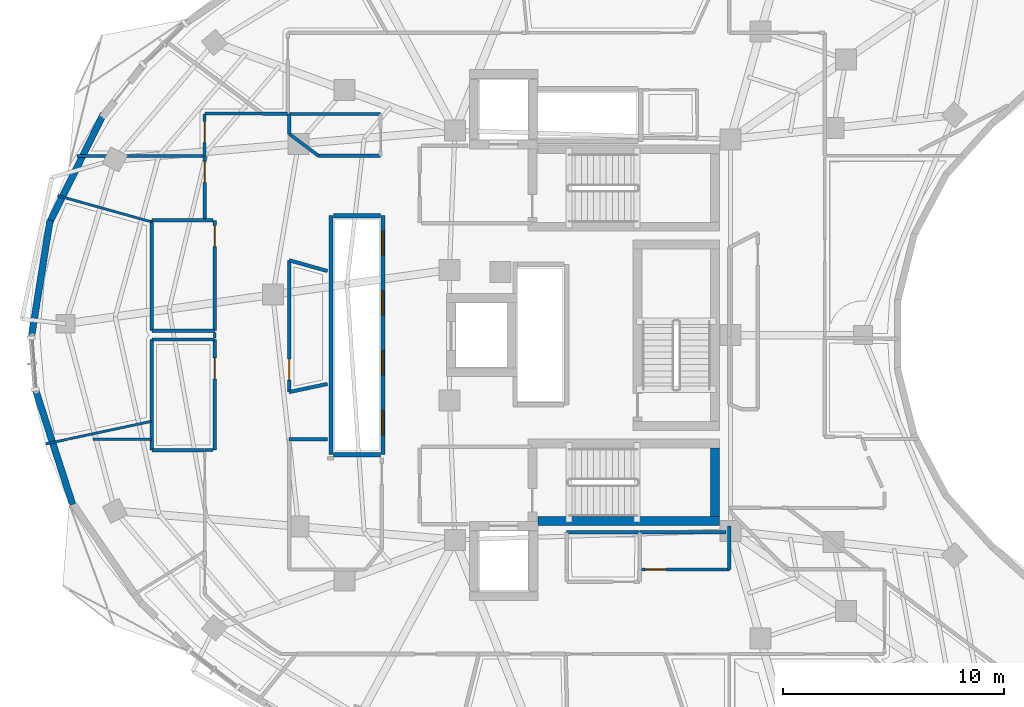
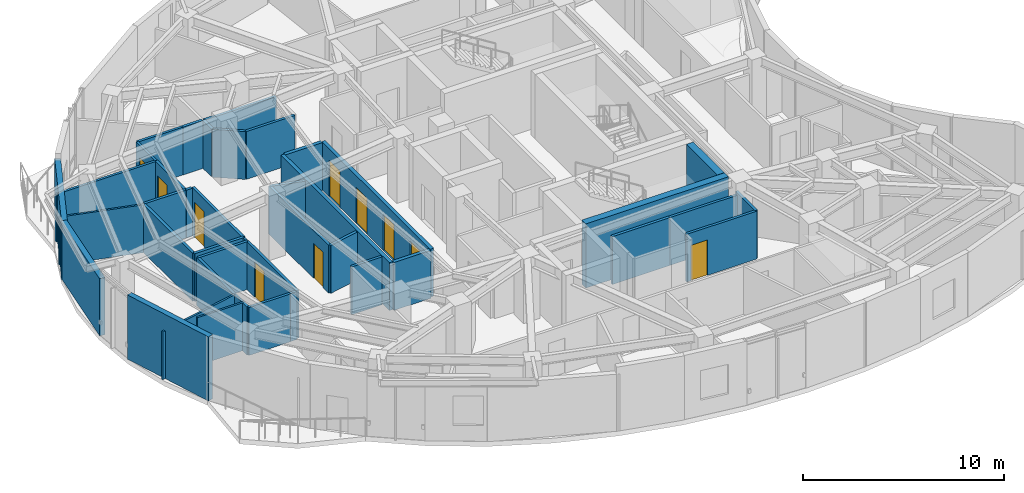
# One storey, part 8 of 14: 41 walls, 10 doors, 10 openings.
"""IFC4 building model written with IfcOpenShell, lengths in metres."""

from ifc_helpers import new_model, si_unit, direction, frame, frame_2d, origin, place, context, subcontext, project, spatial, rectangle, extrude, material, layer, layer_set, type_object, element, fill, save


model = new_model("IFC4")

# Units and contexts
model_context = context("Model", 3, precision=1e-05, world=origin(), true_north=direction((0.0, 1.0)))
body_context = subcontext(model_context, "Body", "Model", "MODEL_VIEW")
ifc_project = project(units=[si_unit("LENGTHUNIT", "METRE"), si_unit("AREAUNIT", "SQUARE_METRE"), si_unit("VOLUMEUNIT", "CUBIC_METRE"), si_unit("PLANEANGLEUNIT", "RADIAN"), si_unit("MASSUNIT", "GRAM", prefix="KILO")], contexts=[model_context])

# Site, building, storey
site_placement = place(None, origin())
site = spatial("IfcSite", under=ifc_project, at=site_placement, CompositionType="ELEMENT")
building_placement = place(site_placement, origin())
building = spatial("IfcBuilding", under=site, at=building_placement, Name="Korentha Bioscience Tower", CompositionType="ELEMENT")
storey_placement = place(building_placement, frame((0.0, 0.0, 252.0)))
storey = spatial("IfcBuildingStorey", under=building, at=storey_placement, Name="L58", CompositionType="ELEMENT", Elevation=252.0)

# Wall, opening, door
ifc_material_1 = material(Name="Double-Stud Acoustic Gypsum", Category="gypsum")
ifc_layer_1 = layer(ifc_material_1, 0.14990234375, Name="Double-Stud Acoustic Gypsum")
ifc_layer_set_1 = layer_set([ifc_layer_1], Name="Double-Stud Acoustic Gypsum (IW-L150)")
wall_type_1 = type_object("IfcWallType", Name="Acoustic Laboratory Partition Wall 150", PredefinedType="PARTITIONING", material=ifc_layer_set_1)
wall_1_placement = place(storey_placement, frame((14.239990234375, 26.800048828125, 0.0), z_axis=(0.0, 0.0, 1.0), x_axis=(0.0, -1.0, 0.0)))
wall_1 = element("IfcWall", 1, at=wall_1_placement, inside=storey, type_object=wall_type_1, Name="L58 Reclaimed Bank-1 Cold Freezer Alcove Entrance Wall", PredefinedType="PARTITIONING", context=body_context, shape_type="SweptSolid", body=[
    extrude(rectangle(XDim=4.989990234375, YDim=0.14990234375, at=frame_2d((2.4951171875, 0.0))), origin(), (0.0, 0.0, 1.0), 2.909912109375),
])
opening_1_placement = place(wall_1_placement, frame((0.830078125, 0.0, 0.0)))
opening_1 = element("IfcOpeningElement", 2, at=opening_1_placement, cuts=wall_1, Name="Opening ID-10L", PredefinedType="OPENING", context=body_context, shape_type="SweptSolid", body=[
    extrude(rectangle(XDim=0.949951171875, YDim=2.14990234375, at=frame_2d((0.47509765625, 1.074951171875))), frame((0.0, 0.08984375, 0.0), z_axis=(0.0, -1.0, 0.0), x_axis=(1.0, 0.0, 0.0)), (0.0, 0.0, 1.0), 0.1796875),
])
ifc_material_2 = material(Name="Phenolic Laminate Timber Core", Category="wood")
door_type_1 = type_object("IfcDoorType", Name="Laboratory Single Leaf Door 950x2150 Left", OperationType="SINGLE_SWING_LEFT", PredefinedType="DOOR", material=ifc_material_2)
door_1_placement = place(opening_1_placement, origin())
door_1 = element("IfcDoor", 3, at=door_1_placement, inside=storey, type_object=door_type_1, Name="L58 Reclaimed Bank-1 Cold Freezer Alcove Door", OperationType="SINGLE_SWING_LEFT", OverallHeight=2.14990234375, OverallWidth=0.949951171875, PredefinedType="DOOR", context=body_context, shape_type="SweptSolid", body=[
    extrude(rectangle(XDim=0.949951171875, YDim=2.14990234375, at=frame_2d((0.47509765625, 1.074951171875))), frame((0.0, 0.02490234375, 0.0), z_axis=(0.0, -1.0, 0.0), x_axis=(1.0, 0.0, 0.0)), (0.0, 0.0, 1.0), 0.050048828125),
])
fill(opening_1, door_1)

wall_2_placement = place(storey_placement, frame((37.498046875, 16.409912109375, 0.0), z_axis=(0.0, 0.0, 1.0), x_axis=(-1.0, 0.0, 0.0)))
wall_2 = element("IfcWall", 4, at=wall_2_placement, inside=storey, type_object=wall_type_1, Name="L58 Grant Review Seminar Room 08 Entrance Wall", PredefinedType="PARTITIONING", context=body_context, shape_type="SweptSolid", body=[
    extrude(rectangle(XDim=4.0380859375, YDim=0.14990234375, at=frame_2d((2.01904296875, 0.0))), origin(), (0.0, 0.0, 1.0), 2.909912109375),
])
opening_2_placement = place(wall_2_placement, frame((2.847900390625, 0.0, 0.0)))
opening_2 = element("IfcOpeningElement", 5, at=opening_2_placement, cuts=wall_2, Name="Opening ID-10R", PredefinedType="OPENING", context=body_context, shape_type="SweptSolid", body=[
    extrude(rectangle(XDim=0.949951171875, YDim=2.14990234375, at=frame_2d((0.47509765625, 1.074951171875))), frame((0.0, 0.08984375, 0.0), z_axis=(0.0, -1.0, 0.0), x_axis=(1.0, 0.0, 0.0)), (0.0, 0.0, 1.0), 0.1796875),
])
door_type_2 = type_object("IfcDoorType", Name="Laboratory Single Leaf Door 950x2150 Right", OperationType="SINGLE_SWING_RIGHT", PredefinedType="DOOR", material=ifc_material_2)
door_2_placement = place(opening_2_placement, origin())
door_2 = element("IfcDoor", 6, at=door_2_placement, inside=storey, type_object=door_type_2, Name="L58 Grant Review Seminar Room 08 Door", OperationType="SINGLE_SWING_RIGHT", OverallHeight=2.14990234375, OverallWidth=0.949951171875, PredefinedType="DOOR", context=body_context, shape_type="SweptSolid", body=[
    extrude(rectangle(XDim=0.949951171875, YDim=2.14990234375, at=frame_2d((0.47509765625, 1.074951171875))), frame((0.0, 0.02490234375, 0.0), z_axis=(0.0, -1.0, 0.0), x_axis=(1.0, 0.0, 0.0)), (0.0, 0.0, 1.0), 0.050048828125),
])
fill(opening_2, door_2)

wall_3_placement = place(storey_placement, frame((13.7900390625, 35.092041015625, 0.0), z_axis=(0.0, 0.0, 1.0), x_axis=(0.0, -1.0, 0.0)))
wall_3 = element("IfcWall", 7, at=wall_3_placement, inside=storey, type_object=wall_type_1, Name="L58 Lyophilization Freeze-Drying Room 22 Entrance Wall", PredefinedType="PARTITIONING", context=body_context, shape_type="SweptSolid", body=[
    extrude(rectangle(XDim=2.882080078125, YDim=0.14990234375, at=frame_2d((1.44091796875, 0.0))), origin(), (0.0, 0.0, 1.0), 2.909912109375),
])
opening_3_placement = place(wall_3_placement, frame((0.239990234375, 0.0, 0.0)))
opening_3 = element("IfcOpeningElement", 8, at=opening_3_placement, cuts=wall_3, Name="Opening ID-10R", PredefinedType="OPENING", context=body_context, shape_type="SweptSolid", body=[
    extrude(rectangle(XDim=0.949951171875, YDim=2.14990234375, at=frame_2d((0.47509765625, 1.074951171875))), frame((0.0, 0.08984375, 0.0), z_axis=(0.0, -1.0, 0.0), x_axis=(1.0, 0.0, 0.0)), (0.0, 0.0, 1.0), 0.1796875),
])
door_3_placement = place(opening_3_placement, origin())
door_3 = element("IfcDoor", 9, at=door_3_placement, inside=storey, type_object=door_type_2, Name="L58 Lyophilization Freeze-Drying Room 22 Door", OperationType="SINGLE_SWING_RIGHT", OverallHeight=2.14990234375, OverallWidth=0.949951171875, PredefinedType="DOOR", context=body_context, shape_type="SweptSolid", body=[
    extrude(rectangle(XDim=0.949951171875, YDim=2.14990234375, at=frame_2d((0.47509765625, 1.074951171875))), frame((0.0, 0.02490234375, 0.0), z_axis=(0.0, -1.0, 0.0), x_axis=(1.0, 0.0, 0.0)), (0.0, 0.0, 1.0), 0.050048828125),
])
fill(opening_3, door_3)

# Walls
wall_4_placement = place(storey_placement, frame((14.162109375, 21.81005859375, 0.0), z_axis=(0.0, 0.0, 1.0), x_axis=(-1.0, 0.0, 0.0)))
element("IfcWall", 10, at=wall_4_placement, inside=storey, type_object=wall_type_1, Name="L58 Interior Partition 036", PredefinedType="PARTITIONING", context=body_context, shape_type="SweptSolid", body=[
    extrude(rectangle(XDim=0.362060546875, YDim=0.14990234375, at=frame_2d((0.18115234375, 0.0))), origin(), (0.0, 0.0, 1.0), 2.909912109375),
])
wall_5_placement = place(storey_placement, frame((13.7900390625, 21.800048828125, 0.0), z_axis=(0.0, 0.0, 1.0), x_axis=(-1.0, 0.0, 0.0)))
element("IfcWall", 11, at=wall_5_placement, inside=storey, type_object=wall_type_1, Name="L58 Interior Partition 037", PredefinedType="PARTITIONING", context=body_context, shape_type="SweptSolid", body=[
    extrude(rectangle(XDim=2.39013671875, YDim=0.14990234375, at=frame_2d((1.195068359375, 0.0))), origin(), (0.0, 0.0, 1.0), 2.909912109375),
])
wall_6_placement = place(storey_placement, frame((11.39990234375, 21.800048828125, 0.0), z_axis=(0.0, 0.0, 1.0), x_axis=(0.0, 1.0, 0.0)))
element("IfcWall", 12, at=wall_6_placement, inside=storey, type_object=wall_type_1, Name="L58 Interior Partition 038", PredefinedType="PARTITIONING", context=body_context, shape_type="SweptSolid", body=[
    extrude(rectangle(XDim=5.0, YDim=0.14990234375, at=frame_2d((2.5, 0.0))), origin(), (0.0, 0.0, 1.0), 2.909912109375),
])
wall_7_placement = place(storey_placement, frame((11.39990234375, 26.800048828125, 0.0), z_axis=(0.0, 0.0, 1.0), x_axis=(1.0, 0.0, 0.0)))
element("IfcWall", 13, at=wall_7_placement, inside=storey, type_object=wall_type_1, Name="L58 Interior Partition 039", PredefinedType="PARTITIONING", context=body_context, shape_type="SweptSolid", body=[
    extrude(rectangle(XDim=2.840087890625, YDim=0.14990234375, at=frame_2d((1.419921875, 0.0))), origin(), (0.0, 0.0, 1.0), 2.909912109375),
])
wall_8_placement = place(storey_placement, frame((17.610107421875, 22.298095703125, 0.0), z_axis=(0.0, 0.0, 1.0), x_axis=(1.0, 0.0, 0.0)))
element("IfcWall", 14, at=wall_8_placement, inside=storey, type_object=wall_type_1, Name="L58 Interior Partition 054", PredefinedType="PARTITIONING", context=body_context, shape_type="SweptSolid", body=[
    extrude(rectangle(XDim=1.729736328125, YDim=0.14990234375, at=frame_2d((0.86474609375, 0.0))), origin(), (0.0, 0.0, 1.0), 2.909912109375),
])
wall_9_placement = place(storey_placement, frame((37.498046875, 18.3642578125, 0.0), z_axis=(0.0, 0.0, 1.0), x_axis=(0.0, -1.0, 0.0)))
element("IfcWall", 15, at=wall_9_placement, inside=storey, type_object=wall_type_1, Name="L58 Interior Partition 064", PredefinedType="PARTITIONING", context=body_context, shape_type="SweptSolid", body=[
    extrude(rectangle(XDim=1.954345703125, YDim=0.14990234375, at=frame_2d((0.97705078125, 0.0))), origin(), (0.0, 0.0, 1.0), 2.909912109375),
])
wall_10_placement = place(storey_placement, frame((33.4599609375, 18.090087890625, 0.0), z_axis=(0.0, 0.0, 1.0), x_axis=(1.0, 0.0, 0.0)))
element("IfcWall", 16, at=wall_10_placement, inside=storey, type_object=wall_type_1, Name="L58 Interior Partition 065", PredefinedType="PARTITIONING", context=body_context, shape_type="SweptSolid", body=[
    extrude(rectangle(XDim=3.89013671875, YDim=0.14990234375, at=frame_2d((1.945068359375, 0.0))), origin(), (0.0, 0.0, 1.0), 2.909912109375),
])
wall_11_placement = place(storey_placement, frame((18.9375, 35.10205078125, 0.0), z_axis=(0.0, 0.0, 1.0), x_axis=(-0.799629226512, 0.600494046689, 0.0)))
element("IfcWall", 17, at=wall_11_placement, inside=storey, type_object=wall_type_1, Name="L58 Interior Partition 097", PredefinedType="PARTITIONING", context=body_context, shape_type="SweptSolid", body=[
    extrude(rectangle(XDim=1.659912109375, YDim=0.14990234375, at=frame_2d((0.830078125, 0.0))), origin(), (0.0, 0.0, 1.0), 2.909912109375),
])
wall_12_placement = place(storey_placement, frame((17.610107421875, 36.098876953125, 0.0), z_axis=(0.0, 0.0, 1.0), x_axis=(0.0, 1.0, 0.0)))
element("IfcWall", 18, at=wall_12_placement, inside=storey, type_object=wall_type_1, Name="L58 Interior Partition 098", PredefinedType="PARTITIONING", context=body_context, shape_type="SweptSolid", body=[
    extrude(rectangle(XDim=0.89111328125, YDim=0.14990234375, at=frame_2d((0.445556640625, 0.0))), origin(), (0.0, 0.0, 1.0), 2.909912109375),
])
wall_13_placement = place(storey_placement, frame((17.610107421875, 36.989990234375, 0.0), z_axis=(0.0, 0.0, 1.0), x_axis=(1.0, 0.0, 0.0)))
element("IfcWall", 19, at=wall_13_placement, inside=storey, type_object=wall_type_1, Name="L58 Interior Partition 099", PredefinedType="PARTITIONING", context=body_context, shape_type="SweptSolid", body=[
    extrude(rectangle(XDim=4.1298828125, YDim=0.14990234375, at=frame_2d((2.06494140625, 0.0))), origin(), (0.0, 0.0, 1.0), 2.909912109375),
])
wall_14_placement = place(storey_placement, frame((21.739990234375, 35.10205078125, 0.0), z_axis=(0.0, 0.0, 1.0), x_axis=(-1.0, 0.0, 0.0)))
element("IfcWall", 20, at=wall_14_placement, inside=storey, type_object=wall_type_1, Name="L58 Interior Partition 100", PredefinedType="PARTITIONING", context=body_context, shape_type="SweptSolid", body=[
    extrude(rectangle(XDim=2.802490234375, YDim=0.14990234375, at=frame_2d((1.4013671875, 0.0))), origin(), (0.0, 0.0, 1.0), 2.909912109375),
])

# Wall, opening, door
ifc_material_3 = material(Name="Insulated Aluminium Honeycomb Panel", Category="aluminium")
ifc_layer_2 = layer(ifc_material_3, 0.139892578125, Name="Insulated Aluminium Honeycomb Panel")
ifc_layer_set_2 = layer_set([ifc_layer_2], Name="Insulated Aluminium Honeycomb Panel (IW-F60)")
wall_type_2 = type_object("IfcWallType", Name="Cleanroom Flush Metal Panel Partition 140", PredefinedType="PARTITIONING", material=ifc_layer_set_2)
wall_15_placement = place(storey_placement, frame((13.7900390625, 37.0, 0.0), z_axis=(0.0, 0.0, 1.0), x_axis=(0.0, -1.0, 0.0)))
wall_15 = element("IfcWall", 21, at=wall_15_placement, inside=storey, type_object=wall_type_2, Name="L58 Vaccine Formulation Cleanroom 21 Entrance Wall", PredefinedType="PARTITIONING", context=body_context, shape_type="SweptSolid", body=[
    extrude(rectangle(XDim=1.89794921875, YDim=0.139892578125, at=frame_2d((0.948974609375, 0.0))), origin(), (0.0, 0.0, 1.0), 2.909912109375),
])
opening_4_placement = place(wall_15_placement, frame((0.346923828125, 0.0, 0.0)))
opening_4 = element("IfcOpeningElement", 22, at=opening_4_placement, cuts=wall_15, Name="Opening ID-10L", PredefinedType="OPENING", context=body_context, shape_type="SweptSolid", body=[
    extrude(rectangle(XDim=0.949951171875, YDim=2.14990234375, at=frame_2d((0.47509765625, 1.074951171875))), frame((0.0, 0.0849609375, 0.0), z_axis=(0.0, -1.0, 0.0), x_axis=(1.0, 0.0, 0.0)), (0.0, 0.0, 1.0), 0.169677734375),
])
door_4_placement = place(opening_4_placement, origin())
door_4 = element("IfcDoor", 23, at=door_4_placement, inside=storey, type_object=door_type_1, Name="L58 Vaccine Formulation Cleanroom 21 Door", OperationType="SINGLE_SWING_LEFT", OverallHeight=2.14990234375, OverallWidth=0.949951171875, PredefinedType="DOOR", context=body_context, shape_type="SweptSolid", body=[
    extrude(rectangle(XDim=0.949951171875, YDim=2.14990234375, at=frame_2d((0.47509765625, 1.074951171875))), frame((0.0, 0.02490234375, 0.0), z_axis=(0.0, -1.0, 0.0), x_axis=(1.0, 0.0, 0.0)), (0.0, 0.0, 1.0), 0.050048828125),
])
fill(opening_4, door_4)

# Walls
wall_16_placement = place(storey_placement, frame((16.379638671875, 37.010009765625, 0.0), z_axis=(0.0, 0.0, 1.0), x_axis=(-1.0, 0.0, 0.0)))
element("IfcWall", 24, at=wall_16_placement, inside=storey, type_object=wall_type_2, Name="L58 Interior Partition 101", PredefinedType="PARTITIONING", context=body_context, shape_type="SweptSolid", body=[
    extrude(rectangle(XDim=2.57958984375, YDim=0.139892578125, at=frame_2d((1.289794921875, 0.0))), origin(), (0.0, 0.0, 1.0), 2.909912109375),
])
wall_17_placement = place(storey_placement, frame((13.7900390625, 35.10205078125, 0.0), z_axis=(0.0, 0.0, 1.0), x_axis=(-1.0, 0.0, 0.0)))
element("IfcWall", 25, at=wall_17_placement, inside=storey, type_object=wall_type_2, Name="L58 Interior Partition 102", PredefinedType="PARTITIONING", context=body_context, shape_type="SweptSolid", body=[
    extrude(rectangle(XDim=5.775146484375, YDim=0.139892578125, at=frame_2d((2.8876953125, 0.0))), origin(), (0.0, 0.0, 1.0), 2.909912109375),
])
ifc_material_4 = material(Name="Fire-Rated Framed Glass", Category="glass")
ifc_layer_3 = layer(ifc_material_4, 0.110107421875, Name="Fire-Rated Framed Glass")
ifc_layer_set_3 = layer_set([ifc_layer_3], Name="Fire-Rated Framed Glass (IW-G110)")
wall_type_3 = type_object("IfcWallType", Name="Demountable Glazed Office Partition 110", PredefinedType="MOVABLE", material=ifc_layer_set_3)
wall_18_placement = place(storey_placement, frame((7.148681640625, 33.30126953125, 0.0), z_axis=(0.0, 0.0, 1.0), x_axis=(0.963167586418, -0.268901841707, 0.0)))
element("IfcWall", 26, at=wall_18_placement, inside=storey, type_object=wall_type_3, Name="L58 Interior Partition 044", PredefinedType="MOVABLE", context=body_context, shape_type="SweptSolid", body=[
    extrude(rectangle(XDim=4.4033203125, YDim=0.110107421875, at=frame_2d((2.20166015625, 0.0))), origin(), (0.0, 0.0, 1.0), 2.909912109375),
])
wall_19_placement = place(storey_placement, frame((14.239990234375, 27.116943359375, 0.0), z_axis=(0.0, 0.0, 1.0), x_axis=(0.0, -1.0, 0.0)))
element("IfcWall", 27, at=wall_19_placement, inside=storey, type_object=wall_type_3, Name="L58 Interior Partition 045", PredefinedType="MOVABLE", context=body_context, shape_type="SweptSolid", body=[
    extrude(rectangle(XDim=0.239013671875, YDim=0.110107421875, at=frame_2d((0.11962890625, 0.0))), origin(), (0.0, 0.0, 1.0), 2.909912109375),
])
wall_20_placement = place(storey_placement, frame((11.389892578125, 23.104736328125, 0.0), z_axis=(0.0, 0.0, 1.0), x_axis=(-0.978148837506, -0.207905872179, 0.0)))
element("IfcWall", 28, at=wall_20_placement, inside=storey, type_object=wall_type_3, Name="L58 Interior Partition 046", PredefinedType="MOVABLE", context=body_context, shape_type="SweptSolid", body=[
    extrude(rectangle(XDim=3.84228515625, YDim=0.110107421875, at=frame_2d((1.921142578125, 0.0))), origin(), (0.0, 0.0, 1.0), 2.909912109375),
])
wall_21_placement = place(storey_placement, frame((8.748779296875, 22.298095703125, 0.0), z_axis=(0.0, 0.0, 1.0), x_axis=(1.0, 0.0, 0.0)))
element("IfcWall", 29, at=wall_21_placement, inside=storey, type_object=wall_type_3, Name="L58 Interior Partition 047", PredefinedType="MOVABLE", context=body_context, shape_type="SweptSolid", body=[
    extrude(rectangle(XDim=2.64111328125, YDim=0.110107421875, at=frame_2d((1.320556640625, 0.0))), origin(), (0.0, 0.0, 1.0), 2.909912109375),
])
wall_22_placement = place(storey_placement, frame((6.617431640625, 22.086181640625, 0.0), z_axis=(0.0, 0.0, 1.0), x_axis=(0.978112274726, 0.208077817245, 0.0)))
element("IfcWall", 30, at=wall_22_placement, inside=storey, type_object=wall_type_3, Name="L58 Interior Partition 049", PredefinedType="MOVABLE", context=body_context, shape_type="SweptSolid", body=[
    extrude(rectangle(XDim=0.999755859375, YDim=0.110107421875, at=frame_2d((0.5, 0.0))), origin(), (0.0, 0.0, 1.0), 2.909912109375),
])

# Wall, opening, door
ifc_material_5 = material(Name="Gypsum-Clad Steel Stud", Category="steel")
ifc_layer_4 = layer(ifc_material_5, 0.159912109375, Name="Gypsum-Clad Steel Stud")
ifc_layer_set_4 = layer_set([ifc_layer_4], Name="Gypsum-Clad Steel Stud (IW-C160)")
wall_type_4 = type_object("IfcWallType", Name="Fire-Rated Corridor Partition Wall 160", PredefinedType="PARTITIONING", material=ifc_layer_set_4)
wall_23_placement = place(storey_placement, frame((14.239990234375, 32.18994140625, 0.0), z_axis=(0.0, 0.0, 1.0), x_axis=(0.0, -1.0, 0.0)))
wall_23 = element("IfcWall", 31, at=wall_23_placement, inside=storey, type_object=wall_type_4, Name="L58 Reclaimed Bank-1 Glassware Store Entrance Wall", PredefinedType="PARTITIONING", context=body_context, shape_type="SweptSolid", body=[
    extrude(rectangle(XDim=4.989990234375, YDim=0.159912109375, at=frame_2d((2.4951171875, 0.0))), origin(), (0.0, 0.0, 1.0), 2.909912109375),
])
opening_5_placement = place(wall_23_placement, frame((0.239990234375, 0.0, 0.0)))
opening_5 = element("IfcOpeningElement", 32, at=opening_5_placement, cuts=wall_23, Name="Opening ID-10R", PredefinedType="OPENING", context=body_context, shape_type="SweptSolid", body=[
    extrude(rectangle(XDim=0.949951171875, YDim=2.14990234375, at=frame_2d((0.47509765625, 1.074951171875))), frame((0.0, 0.0947265625, 0.0), z_axis=(0.0, -1.0, 0.0), x_axis=(1.0, 0.0, 0.0)), (0.0, 0.0, 1.0), 0.189697265625),
])
door_5_placement = place(opening_5_placement, origin())
door_5 = element("IfcDoor", 33, at=door_5_placement, inside=storey, type_object=door_type_2, Name="L58 Reclaimed Bank-1 Glassware Store Door", OperationType="SINGLE_SWING_RIGHT", OverallHeight=2.14990234375, OverallWidth=0.949951171875, PredefinedType="DOOR", context=body_context, shape_type="SweptSolid", body=[
    extrude(rectangle(XDim=0.949951171875, YDim=2.14990234375, at=frame_2d((0.47509765625, 1.074951171875))), frame((0.0, 0.02490234375, 0.0), z_axis=(0.0, -1.0, 0.0), x_axis=(1.0, 0.0, 0.0)), (0.0, 0.0, 1.0), 0.050048828125),
])
fill(opening_5, door_5)

wall_24_placement = place(storey_placement, frame((17.610107421875, 24.427001953125, 0.0), z_axis=(0.0, 0.0, 1.0), x_axis=(0.0, 1.0, 0.0)))
wall_24 = element("IfcWall", 34, at=wall_24_placement, inside=storey, type_object=wall_type_4, Name="L58 Cold-Chain Stability Chamber 23 Entrance Wall", PredefinedType="PARTITIONING", context=body_context, shape_type="SweptSolid", body=[
    extrude(rectangle(XDim=5.95361328125, YDim=0.159912109375, at=frame_2d((2.976806640625, 0.0))), origin(), (0.0, 0.0, 1.0), 2.909912109375),
])
opening_6_placement = place(wall_24_placement, frame((0.544189453125, 0.0, 0.0)))
opening_6 = element("IfcOpeningElement", 35, at=opening_6_placement, cuts=wall_24, Name="Opening ID-10L", PredefinedType="OPENING", context=body_context, shape_type="SweptSolid", body=[
    extrude(rectangle(XDim=0.949951171875, YDim=2.14990234375, at=frame_2d((0.47509765625, 1.074951171875))), frame((0.0, 0.0947265625, 0.0), z_axis=(0.0, -1.0, 0.0), x_axis=(1.0, 0.0, 0.0)), (0.0, 0.0, 1.0), 0.189697265625),
])
door_6_placement = place(opening_6_placement, origin())
door_6 = element("IfcDoor", 36, at=door_6_placement, inside=storey, type_object=door_type_1, Name="L58 Cold-Chain Stability Chamber 23 Door", OperationType="SINGLE_SWING_LEFT", OverallHeight=2.14990234375, OverallWidth=0.949951171875, PredefinedType="DOOR", context=body_context, shape_type="SweptSolid", body=[
    extrude(rectangle(XDim=0.949951171875, YDim=2.14990234375, at=frame_2d((0.47509765625, 1.074951171875))), frame((0.0, 0.02490234375, 0.0), z_axis=(0.0, -1.0, 0.0), x_axis=(1.0, 0.0, 0.0)), (0.0, 0.0, 1.0), 0.050048828125),
])
fill(opening_6, door_6)

# Walls
wall_25_placement = place(storey_placement, frame((30.14990234375, 18.090087890625, 0.0), z_axis=(0.0, 0.0, 1.0), x_axis=(1.0, 0.0, 0.0)))
element("IfcWall", 37, at=wall_25_placement, inside=storey, type_object=wall_type_4, Name="L58 Interior Partition 031", PredefinedType="PARTITIONING", context=body_context, shape_type="SweptSolid", body=[
    extrude(rectangle(XDim=3.300048828125, YDim=0.159912109375, at=frame_2d((1.64990234375, 0.0))), origin(), (0.0, 0.0, 1.0), 2.909912109375),
])
wall_26_placement = place(storey_placement, frame((13.800048828125, 32.18994140625, 0.0), z_axis=(0.0, 0.0, 1.0), x_axis=(1.0, 0.0, 0.0)))
element("IfcWall", 38, at=wall_26_placement, inside=storey, type_object=wall_type_4, Name="L58 Interior Partition 040", PredefinedType="PARTITIONING", context=body_context, shape_type="SweptSolid", body=[
    extrude(rectangle(XDim=0.35693359375, YDim=0.159912109375, at=frame_2d((0.178466796875, 0.0))), origin(), (0.0, 0.0, 1.0), 2.909912109375),
])
wall_27_placement = place(storey_placement, frame((14.239990234375, 27.199951171875, 0.0), z_axis=(0.0, 0.0, 1.0), x_axis=(-1.0, 0.0, 0.0)))
element("IfcWall", 39, at=wall_27_placement, inside=storey, type_object=wall_type_4, Name="L58 Interior Partition 041", PredefinedType="PARTITIONING", context=body_context, shape_type="SweptSolid", body=[
    extrude(rectangle(XDim=2.840087890625, YDim=0.159912109375, at=frame_2d((1.419921875, 0.0))), origin(), (0.0, 0.0, 1.0), 2.909912109375),
])
wall_28_placement = place(storey_placement, frame((11.39990234375, 27.199951171875, 0.0), z_axis=(0.0, 0.0, 1.0), x_axis=(0.0, 1.0, 0.0)))
element("IfcWall", 40, at=wall_28_placement, inside=storey, type_object=wall_type_4, Name="L58 Interior Partition 042", PredefinedType="PARTITIONING", context=body_context, shape_type="SweptSolid", body=[
    extrude(rectangle(XDim=5.0, YDim=0.159912109375, at=frame_2d((2.5, 0.0))), origin(), (0.0, 0.0, 1.0), 2.909912109375),
])
wall_29_placement = place(storey_placement, frame((11.39990234375, 32.199951171875, 0.0), z_axis=(0.0, 0.0, 1.0), x_axis=(1.0, 0.0, 0.0)))
element("IfcWall", 41, at=wall_29_placement, inside=storey, type_object=wall_type_4, Name="L58 Interior Partition 043", PredefinedType="PARTITIONING", context=body_context, shape_type="SweptSolid", body=[
    extrude(rectangle(XDim=2.39013671875, YDim=0.159912109375, at=frame_2d((1.195068359375, 0.0))), origin(), (0.0, 0.0, 1.0), 2.909912109375),
])
wall_30_placement = place(storey_placement, frame((17.5400390625, 37.010009765625, 0.0), z_axis=(0.0, 0.0, 1.0), x_axis=(-1.0, 0.0, 0.0)))
element("IfcWall", 42, at=wall_30_placement, inside=storey, type_object=wall_type_4, Name="L58 Interior Partition 095", PredefinedType="PARTITIONING", context=body_context, shape_type="SweptSolid", body=[
    extrude(rectangle(XDim=1.1435546875, YDim=0.159912109375, at=frame_2d((0.57177734375, 0.0))), origin(), (0.0, 0.0, 1.0), 2.909912109375),
])
wall_31_placement = place(storey_placement, frame((19.340087890625, 24.794677734375, 0.0), z_axis=(0.0, 0.0, 1.0), x_axis=(-0.978152535578, -0.207888472845, 0.0)))
element("IfcWall", 43, at=wall_31_placement, inside=storey, type_object=wall_type_4, Name="L58 Interior Partition 103", PredefinedType="PARTITIONING", context=body_context, shape_type="SweptSolid", body=[
    extrude(rectangle(XDim=1.7685546875, YDim=0.159912109375, at=frame_2d((0.88427734375, 0.0))), origin(), (0.0, 0.0, 1.0), 2.909912109375),
])
wall_32_placement = place(storey_placement, frame((17.610107421875, 30.380615234375, 0.0), z_axis=(0.0, 0.0, 1.0), x_axis=(0.963143086718, -0.268989580668, 0.0)))
element("IfcWall", 44, at=wall_32_placement, inside=storey, type_object=wall_type_4, Name="L58 Interior Partition 104", PredefinedType="PARTITIONING", context=body_context, shape_type="SweptSolid", body=[
    extrude(rectangle(XDim=1.796142578125, YDim=0.159912109375, at=frame_2d((0.89794921875, 0.0))), origin(), (0.0, 0.0, 1.0), 2.909912109375),
])
ifc_material_6 = material(Name="Honed Limestone Precast Concrete C40", Category="masonry")
ifc_layer_5 = layer(ifc_material_6, 0.300048828125, Name="Honed Limestone Precast Concrete C40")
ifc_layer_set_5 = layer_set([ifc_layer_5], Name="Honed Limestone Precast Concrete C40 (EW-ST300)")
wall_type_5 = type_object("IfcWallType", Name="Honed Limestone Cavity Spandrel Wall 300", PredefinedType="STANDARD", material=ifc_layer_set_5)
wall_33_placement = place(storey_placement, frame((9.222412109375, 36.998779296875, 0.0), z_axis=(0.0, 0.0, 1.0), x_axis=(-0.445162072567, -0.89545001488, 0.0)))
element("IfcWall", 45, at=wall_33_placement, inside=storey, type_object=wall_type_5, Name="L58 Limestone Perimeter Closure Wall 15", PredefinedType="STANDARD", context=body_context, shape_type="SweptSolid", body=[
    extrude(rectangle(XDim=5.572509765625, YDim=0.300048828125, at=frame_2d((2.7861328125, 0.0))), origin(), (0.0, 0.0, 1.0), 3.469970703125),
])
wall_34_placement = place(storey_placement, frame((6.802734375, 32.19970703125, 0.0), z_axis=(0.0, 0.0, 1.0), x_axis=(-0.157240066957, -0.987560408959, 0.0)))
element("IfcWall", 46, at=wall_34_placement, inside=storey, type_object=wall_type_5, Name="L58 Limestone Perimeter Closure Wall 17", PredefinedType="STANDARD", context=body_context, shape_type="SweptSolid", body=[
    extrude(rectangle(XDim=5.367431640625, YDim=0.300048828125, at=frame_2d((2.68359375, 0.0))), origin(), (0.0, 0.0, 1.0), 3.469970703125),
])
wall_35_placement = place(storey_placement, frame((6.147216796875, 24.529052734375, 0.0), z_axis=(0.0, 0.0, 1.0), x_axis=(0.307501658213, -0.951547544895, 0.0)))
element("IfcWall", 47, at=wall_35_placement, inside=storey, type_object=wall_type_5, Name="L58 Limestone Perimeter Closure Wall 20", PredefinedType="STANDARD", context=body_context, shape_type="SweptSolid", body=[
    extrude(rectangle(XDim=5.447265625, YDim=0.300048828125, at=frame_2d((2.7236328125, 0.0))), origin(), (0.0, 0.0, 1.0), 3.89990234375),
])
ifc_material_7 = material(Name="Autoclaved Aerated Concrete Block C25", Category="concrete")
ifc_layer_6 = layer(ifc_material_7, 0.199951171875, Name="Autoclaved Aerated Concrete Block C25")
ifc_layer_set_6 = layer_set([ifc_layer_6], Name="Autoclaved Aerated Concrete Block C25 (IW-S200)")
wall_type_6 = type_object("IfcWallType", Name="Lift and Riser Shaft Enclosure Wall 200", PredefinedType="PARTITIONING", material=ifc_layer_set_6)
wall_36_placement = place(storey_placement, frame((19.5, 21.60009765625, 0.0), z_axis=(0.0, 0.0, 1.0), x_axis=(0.0, 1.0, 0.0)))
element("IfcWall", 48, at=wall_36_placement, inside=storey, type_object=wall_type_6, Name="L58 Lift Bank MID Shaft Wall -X", PredefinedType="PARTITIONING", context=body_context, shape_type="SweptSolid", body=[
    extrude(rectangle(XDim=10.7998046875, YDim=0.199951171875, at=frame_2d((5.39990234375, 0.0))), origin(), (0.0, 0.0, 1.0), 2.909912109375),
])

# Wall, openings, doors
wall_37_placement = place(storey_placement, frame((21.85009765625, 21.60009765625, 0.0), z_axis=(0.0, 0.0, 1.0), x_axis=(0.0, 1.0, 0.0)))
wall_37 = element("IfcWall", 49, at=wall_37_placement, inside=storey, type_object=wall_type_6, Name="L58 Lift Bank MID Shaft Wall +X", PredefinedType="PARTITIONING", context=body_context, shape_type="SweptSolid", body=[
    extrude(rectangle(XDim=10.7998046875, YDim=0.199951171875, at=frame_2d((5.39990234375, 0.0))), origin(), (0.0, 0.0, 1.0), 2.909912109375),
])
opening_7_placement = place(wall_37_placement, frame((0.89990234375, 0.0, 0.0)))
opening_7 = element("IfcOpeningElement", 50, at=opening_7_placement, cuts=wall_37, Name="Opening LD-11", PredefinedType="OPENING", context=body_context, shape_type="SweptSolid", body=[
    extrude(rectangle(XDim=1.10009765625, YDim=2.199951171875, at=frame_2d((0.550048828125, 1.10009765625))), frame((0.0, 0.11474609375, 0.0), z_axis=(0.0, -1.0, 0.0), x_axis=(1.0, 0.0, 0.0)), (0.0, 0.0, 1.0), 0.229736328125),
])
opening_8_placement = place(wall_37_placement, frame((3.60009765625, 0.0, 0.0)))
opening_8 = element("IfcOpeningElement", 51, at=opening_8_placement, cuts=wall_37, Name="Opening LD-11", PredefinedType="OPENING", context=body_context, shape_type="SweptSolid", body=[
    extrude(rectangle(XDim=1.10009765625, YDim=2.199951171875, at=frame_2d((0.550048828125, 1.10009765625))), frame((0.0, 0.11474609375, 0.0), z_axis=(0.0, -1.0, 0.0), x_axis=(1.0, 0.0, 0.0)), (0.0, 0.0, 1.0), 0.229736328125),
])
opening_9_placement = place(wall_37_placement, frame((6.300048828125, 0.0, 0.0)))
opening_9 = element("IfcOpeningElement", 52, at=opening_9_placement, cuts=wall_37, Name="Opening LD-11", PredefinedType="OPENING", context=body_context, shape_type="SweptSolid", body=[
    extrude(rectangle(XDim=1.10009765625, YDim=2.199951171875, at=frame_2d((0.550048828125, 1.10009765625))), frame((0.0, 0.11474609375, 0.0), z_axis=(0.0, -1.0, 0.0), x_axis=(1.0, 0.0, 0.0)), (0.0, 0.0, 1.0), 0.229736328125),
])
opening_10_placement = place(wall_37_placement, frame((9.0, 0.0, 0.0)))
opening_10 = element("IfcOpeningElement", 53, at=opening_10_placement, cuts=wall_37, Name="Opening LD-11", PredefinedType="OPENING", context=body_context, shape_type="SweptSolid", body=[
    extrude(rectangle(XDim=1.10009765625, YDim=2.199951171875, at=frame_2d((0.550048828125, 1.10009765625))), frame((0.0, 0.11474609375, 0.0), z_axis=(0.0, -1.0, 0.0), x_axis=(1.0, 0.0, 0.0)), (0.0, 0.0, 1.0), 0.229736328125),
])
ifc_material_8 = material(Name="Brushed Stainless Steel 304", Category="steel")
door_type_3 = type_object("IfcDoorType", Name="Passenger Lift Sliding Landing Door 1100x2200", OperationType="DOUBLE_DOOR_SLIDING", PredefinedType="DOOR", material=ifc_material_8)
door_7_placement = place(opening_7_placement, origin())
door_7 = element("IfcDoor", 54, at=door_7_placement, inside=storey, type_object=door_type_3, Name="L58 PL-M1 Sliding Lift Landing Door", OperationType="DOUBLE_DOOR_SLIDING", OverallHeight=2.199951171875, OverallWidth=1.10009765625, PredefinedType="DOOR", context=body_context, shape_type="SweptSolid", body=[
    extrude(rectangle(XDim=1.10009765625, YDim=2.199951171875, at=frame_2d((0.550048828125, 1.10009765625))), frame((0.0, 0.02490234375, 0.0), z_axis=(0.0, -1.0, 0.0), x_axis=(1.0, 0.0, 0.0)), (0.0, 0.0, 1.0), 0.050048828125),
])
fill(opening_7, door_7)
door_8_placement = place(opening_8_placement, origin())
door_8 = element("IfcDoor", 55, at=door_8_placement, inside=storey, type_object=door_type_3, Name="L58 PL-M2 Sliding Lift Landing Door", OperationType="DOUBLE_DOOR_SLIDING", OverallHeight=2.199951171875, OverallWidth=1.10009765625, PredefinedType="DOOR", context=body_context, shape_type="SweptSolid", body=[
    extrude(rectangle(XDim=1.10009765625, YDim=2.199951171875, at=frame_2d((0.550048828125, 1.10009765625))), frame((0.0, 0.02490234375, 0.0), z_axis=(0.0, -1.0, 0.0), x_axis=(1.0, 0.0, 0.0)), (0.0, 0.0, 1.0), 0.050048828125),
])
fill(opening_8, door_8)
door_9_placement = place(opening_9_placement, origin())
door_9 = element("IfcDoor", 56, at=door_9_placement, inside=storey, type_object=door_type_3, Name="L58 PL-M3 Sliding Lift Landing Door", OperationType="DOUBLE_DOOR_SLIDING", OverallHeight=2.199951171875, OverallWidth=1.10009765625, PredefinedType="DOOR", context=body_context, shape_type="SweptSolid", body=[
    extrude(rectangle(XDim=1.10009765625, YDim=2.199951171875, at=frame_2d((0.550048828125, 1.10009765625))), frame((0.0, 0.02490234375, 0.0), z_axis=(0.0, -1.0, 0.0), x_axis=(1.0, 0.0, 0.0)), (0.0, 0.0, 1.0), 0.050048828125),
])
fill(opening_9, door_9)
door_10_placement = place(opening_10_placement, origin())
door_10 = element("IfcDoor", 57, at=door_10_placement, inside=storey, type_object=door_type_3, Name="L58 PL-M4 Sliding Lift Landing Door", OperationType="DOUBLE_DOOR_SLIDING", OverallHeight=2.199951171875, OverallWidth=1.10009765625, PredefinedType="DOOR", context=body_context, shape_type="SweptSolid", body=[
    extrude(rectangle(XDim=1.10009765625, YDim=2.199951171875, at=frame_2d((0.550048828125, 1.10009765625))), frame((0.0, 0.02490234375, 0.0), z_axis=(0.0, -1.0, 0.0), x_axis=(1.0, 0.0, 0.0)), (0.0, 0.0, 1.0), 0.050048828125),
])
fill(opening_10, door_10)

# Walls
for number, where, z_axis, x_axis, name in (
    (58, (19.6201171875, 21.60009765625, 0.0), (0.0, 0.0, 1.0), (1.0, 0.0, 0.0), "L58 Lift Bank MID Shaft Wall -Y"),
    (59, (19.6201171875, 32.39990234375, 0.0), (0.0, 0.0, 1.0), (1.0, 0.0, 0.0), "L58 Lift Bank MID Shaft Wall +Y"),
):
    element("IfcWall", number, at=place(storey_placement, frame(where, z_axis=z_axis, x_axis=x_axis)), inside=storey, type_object=wall_type_6, Name=name, PredefinedType="PARTITIONING", context=body_context, shape_type="SweptSolid", body=[
        extrude(rectangle(XDim=2.10986328125, YDim=0.199951171875, at=frame_2d((1.054931640625, 0.0))), origin(), (0.0, 0.0, 1.0), 2.909912109375),
    ])
ifc_material_9 = material(Name="Concrete C65", Category="concrete")
ifc_layer_7 = layer(ifc_material_9, 0.39990234375, Name="Concrete C65")
ifc_layer_set_7 = layer_set([ifc_layer_7], Name="Concrete C65 (CW-C65)")
wall_type_7 = type_object("IfcWallType", Name="Mid-Rise Core Shear Wall 400", PredefinedType="SHEAR", material=ifc_layer_set_7)
wall_38_placement = place(storey_placement, frame((28.85205078125, 18.60009765625, 0.0), z_axis=(0.0, 0.0, 1.0), x_axis=(1.0, 0.0, 0.0)))
element("IfcWall", 60, at=wall_38_placement, inside=storey, type_object=wall_type_7, Name="L58 Core Shear Wall ST2-S", PredefinedType="SHEAR", context=body_context, shape_type="SweptSolid", body=[
    extrude(rectangle(XDim=8.197998046875, YDim=0.39990234375, at=frame_2d((4.09912109375, 0.0))), origin(), (0.0, 0.0, 1.0), 3.89990234375),
])
wall_39_placement = place(storey_placement, frame((36.85009765625, 18.81005859375, 0.0), z_axis=(0.0, 0.0, 1.0), x_axis=(0.0, 1.0, 0.0)))
element("IfcWall", 61, at=wall_39_placement, inside=storey, type_object=wall_type_7, Name="L58 Core Shear Wall ST2-E", PredefinedType="SHEAR", context=body_context, shape_type="SweptSolid", body=[
    extrude(rectangle(XDim=3.079833984375, YDim=0.39990234375, at=frame_2d((1.5400390625, 0.0))), origin(), (0.0, 0.0, 1.0), 3.89990234375),
])

save(model, "model.ifc")
